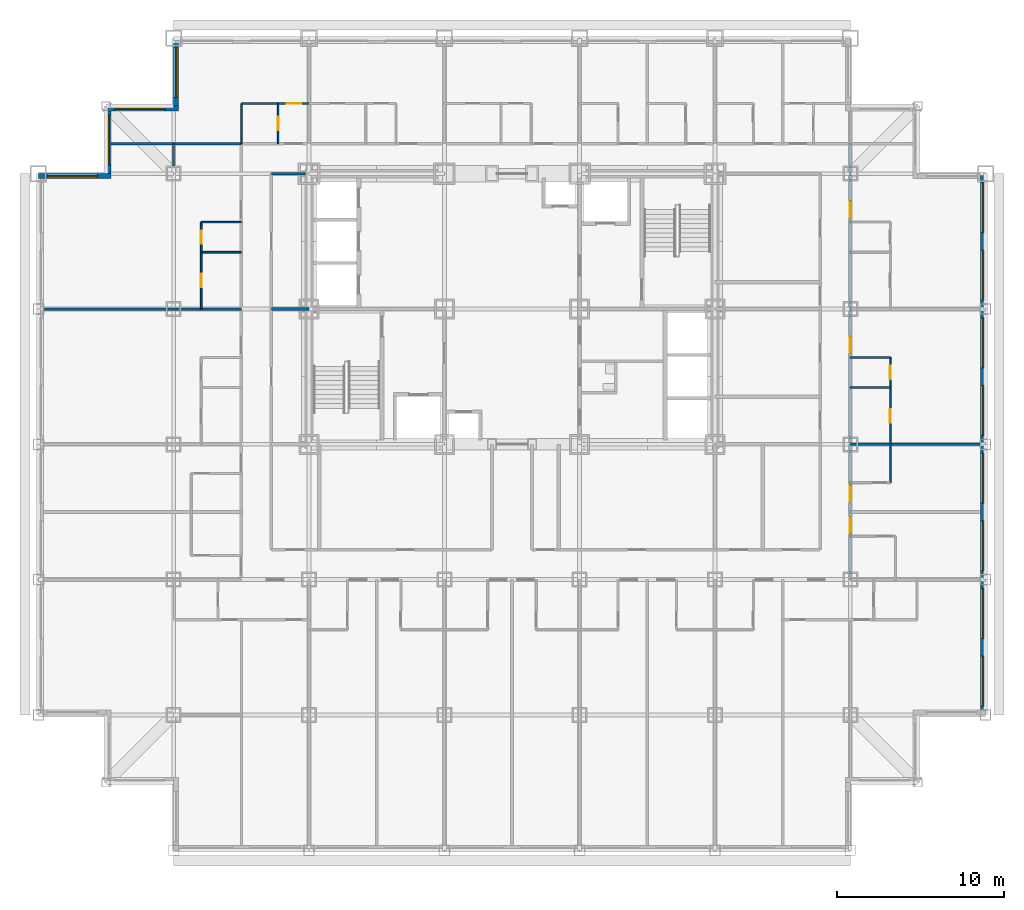
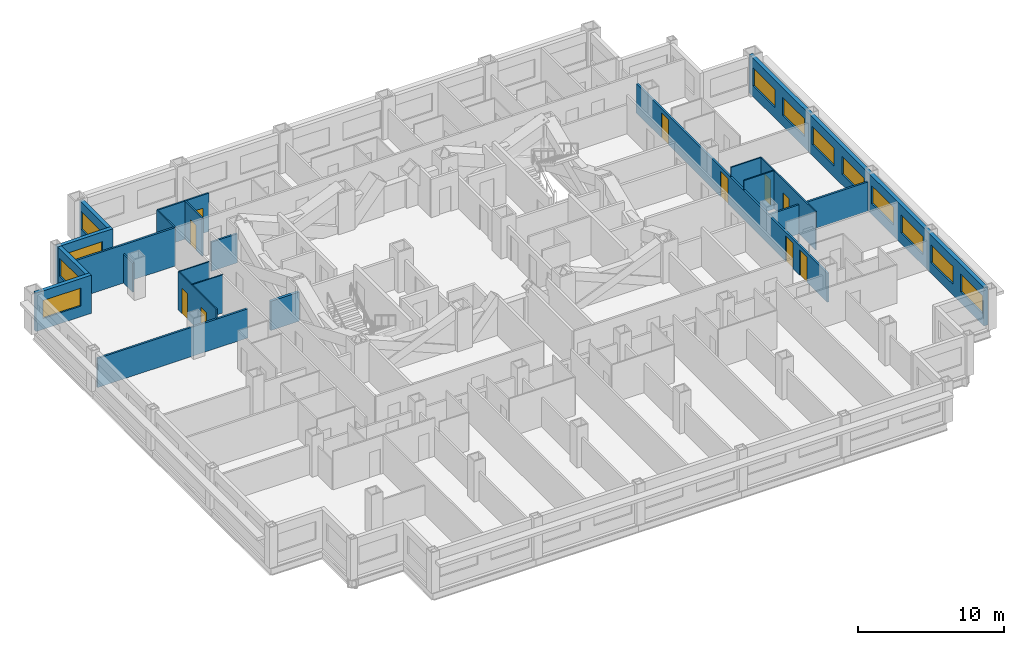
# One storey, part 7 of 12: 21 walls, 12 windows, 10 doors, 22 openings.
"""IFC4 building model written with IfcOpenShell, lengths in metres."""

from ifc_helpers import new_model, si_unit, direction, frame, frame_2d, origin, place, context, subcontext, project, spatial, rectangle, extrude, material, layer, layer_set, type_object, element, fill, save


model = new_model("IFC4")

# Units and contexts
model_context = context("Model", 3, precision=1e-05, world=origin(), true_north=direction((0.0, 1.0)))
body_context = subcontext(model_context, "Body", "Model", "MODEL_VIEW")
ifc_project = project(units=[si_unit("LENGTHUNIT", "METRE"), si_unit("AREAUNIT", "SQUARE_METRE"), si_unit("VOLUMEUNIT", "CUBIC_METRE"), si_unit("PLANEANGLEUNIT", "RADIAN"), si_unit("MASSUNIT", "GRAM", prefix="KILO")], contexts=[model_context])

# Site, building, storey
site_placement = place(None, origin())
site = spatial("IfcSite", under=ifc_project, at=site_placement, CompositionType="ELEMENT")
building_placement = place(site_placement, origin())
building = spatial("IfcBuilding", under=site, at=building_placement, Name="Kopane Lantern Tower", CompositionType="ELEMENT")
storey_placement = place(building_placement, frame((0.0, 0.0, 77.199951171875)))
storey = spatial("IfcBuildingStorey", under=building, at=storey_placement, Name="L19", CompositionType="ELEMENT", Elevation=77.199951171875)

# Wall, opening, door
ifc_material_1 = material(Name="Gypsum board on steel studs", Category="steel")
ifc_layer_1 = layer(ifc_material_1, 0.1201171875)
ifc_layer_set_1 = layer_set([ifc_layer_1], Name="APARTMENT INTERNAL WALL 120")
wall_type_1 = type_object("IfcWallType", Name="APARTMENT INTERNAL WALL 120", PredefinedType="PARTITIONING", material=ifc_layer_set_1)
wall_1_placement = place(storey_placement, frame((12.14990234375, 44.699951171875, 0.0), z_axis=(0.0, 0.0, 1.0), x_axis=(1.0, 0.0, 0.0)))
wall_1 = element("IfcWall", 1, at=wall_1_placement, inside=storey, type_object=wall_type_1, Name="Apartment Internal Wall 120 L19", PredefinedType="PARTITIONING", context=body_context, shape_type="SweptSolid", body=[
    extrude(rectangle(XDim=4.050048828125, YDim=0.1201171875, at=frame_2d((2.02490234375, 0.0))), origin(), (0.0, 0.0, 1.0), 3.18994140625),
])
opening_1_placement = place(wall_1_placement, frame((2.72509765625, 0.0, 0.0)))
opening_1 = element("IfcOpeningElement", 2, at=opening_1_placement, cuts=wall_1, Name="Opening L19-072", PredefinedType="OPENING", context=body_context, shape_type="SweptSolid", body=[
    extrude(rectangle(XDim=0.85009765625, YDim=2.10009765625, at=frame_2d((0.425048828125, 1.050048828125))), frame((0.0, 0.070068359375, 0.0), z_axis=(0.0, -1.0, 0.0), x_axis=(1.0, 0.0, 0.0)), (0.0, 0.0, 1.0), 0.14013671875),
])
ifc_material_2 = material(Name="Timber door set", Category="wood")
door_type_1 = type_object("IfcDoorType", Name="DOOR D4 850x2100", OperationType="SINGLE_SWING_LEFT", PredefinedType="DOOR", material=ifc_material_2)
door_1_placement = place(opening_1_placement, origin())
door_1 = element("IfcDoor", 3, at=door_1_placement, inside=storey, type_object=door_type_1, Name="Door L19-072", OperationType="SINGLE_SWING_LEFT", OverallHeight=2.10009765625, OverallWidth=0.85009765625, PredefinedType="DOOR", context=body_context, shape_type="SweptSolid", body=[
    extrude(rectangle(XDim=0.85009765625, YDim=2.10009765625, at=frame_2d((0.425048828125, 1.050048828125))), frame((0.0, 0.02490234375, 0.0), z_axis=(0.0, -1.0, 0.0), x_axis=(1.0, 0.0, 0.0)), (0.0, 0.0, 1.0), 0.050048828125),
])
fill(opening_1, door_1)

# Wall
wall_2_placement = place(storey_placement, frame((8.10009765625, 42.300048828125, 0.0), z_axis=(0.0, 0.0, 1.0), x_axis=(0.0, -1.0, 0.0)))
element("IfcWall", 4, at=wall_2_placement, inside=storey, type_object=wall_type_1, Name="Apartment Internal Wall 120 L19", PredefinedType="PARTITIONING", context=body_context, shape_type="SweptSolid", body=[
    extrude(rectangle(XDim=1.35009765625, YDim=0.1201171875, at=frame_2d((0.675048828125, 0.0))), origin(), (0.0, 0.0, 1.0), 2.427734375),
])

# Wall, openings, doors
ifc_material_3 = material(Name="Moisture-resistant board on steel studs", Category="steel")
ifc_layer_2 = layer(ifc_material_3, 0.10009765625)
ifc_layer_set_2 = layer_set([ifc_layer_2], Name="BATHROOM WALL 100")
wall_type_2 = type_object("IfcWallType", Name="BATHROOM WALL 100", PredefinedType="PARTITIONING", material=ifc_layer_set_2)
wall_3_placement = place(storey_placement, frame((9.75, 32.39990234375, 0.0), z_axis=(0.0, 0.0, 1.0), x_axis=(0.0, 1.0, 0.0)))
wall_3 = element("IfcWall", 5, at=wall_3_placement, inside=storey, type_object=wall_type_2, Name="Bathroom Wall 100 L19", PredefinedType="PARTITIONING", context=body_context, shape_type="SweptSolid", body=[
    extrude(rectangle(XDim=5.2001953125, YDim=0.10009765625, at=frame_2d((2.60009765625, 0.0))), origin(), (0.0, 0.0, 1.0), 3.18994140625),
])
opening_2_placement = place(wall_3_placement, frame((1.300048828125, 0.0, 0.0)))
opening_2 = element("IfcOpeningElement", 6, at=opening_2_placement, cuts=wall_3, Name="Opening L19-046", PredefinedType="OPENING", context=body_context, shape_type="SweptSolid", body=[
    extrude(rectangle(XDim=0.800048828125, YDim=2.10009765625, at=frame_2d((0.39990234375, 1.050048828125))), frame((0.0, 0.06005859375, 0.0), z_axis=(0.0, -1.0, 0.0), x_axis=(1.0, 0.0, 0.0)), (0.0, 0.0, 1.0), 0.1201171875),
])
opening_3_placement = place(wall_3_placement, frame((3.89990234375, 0.0, 0.0)))
opening_3 = element("IfcOpeningElement", 7, at=opening_3_placement, cuts=wall_3, Name="Opening L19-047", PredefinedType="OPENING", context=body_context, shape_type="SweptSolid", body=[
    extrude(rectangle(XDim=0.800048828125, YDim=2.10009765625, at=frame_2d((0.39990234375, 1.050048828125))), frame((0.0, 0.06005859375, 0.0), z_axis=(0.0, -1.0, 0.0), x_axis=(1.0, 0.0, 0.0)), (0.0, 0.0, 1.0), 0.1201171875),
])
ifc_material_4 = material(Name="Timber door set", Category="wood")
door_type_2 = type_object("IfcDoorType", Name="DOOR D2 800x2100", OperationType="SINGLE_SWING_LEFT", PredefinedType="DOOR", material=ifc_material_4)
door_2_placement = place(opening_2_placement, origin())
door_2 = element("IfcDoor", 8, at=door_2_placement, inside=storey, type_object=door_type_2, Name="Door L19-046", OperationType="SINGLE_SWING_LEFT", OverallHeight=2.10009765625, OverallWidth=0.800048828125, PredefinedType="DOOR", context=body_context, shape_type="SweptSolid", body=[
    extrude(rectangle(XDim=0.800048828125, YDim=2.10009765625, at=frame_2d((0.39990234375, 1.050048828125))), frame((0.0, 0.02490234375, 0.0), z_axis=(0.0, -1.0, 0.0), x_axis=(1.0, 0.0, 0.0)), (0.0, 0.0, 1.0), 0.050048828125),
])
fill(opening_2, door_2)
door_3_placement = place(opening_3_placement, origin())
door_3 = element("IfcDoor", 9, at=door_3_placement, inside=storey, type_object=door_type_2, Name="Door L19-047", OperationType="SINGLE_SWING_LEFT", OverallHeight=2.10009765625, OverallWidth=0.800048828125, PredefinedType="DOOR", context=body_context, shape_type="SweptSolid", body=[
    extrude(rectangle(XDim=0.800048828125, YDim=2.10009765625, at=frame_2d((0.39990234375, 1.050048828125))), frame((0.0, 0.02490234375, 0.0), z_axis=(0.0, -1.0, 0.0), x_axis=(1.0, 0.0, 0.0)), (0.0, 0.0, 1.0), 0.050048828125),
])
fill(opening_3, door_3)

# Walls
for number, where, z_axis, x_axis, name in (
    (10, (12.14990234375, 35.800048828125, 0.0), (0.0, 0.0, 1.0), (-1.0, 0.0, 0.0), "Bathroom Wall 100 L19"),
    (11, (12.14990234375, 37.60009765625, 0.0), (0.0, 0.0, 1.0), (-1.0, 0.0, 0.0), "Bathroom Wall 100 L19"),
):
    element("IfcWall", number, at=place(storey_placement, frame(where, z_axis=z_axis, x_axis=x_axis)), inside=storey, type_object=wall_type_2, Name=name, PredefinedType="PARTITIONING", context=body_context, shape_type="SweptSolid", body=[
        extrude(rectangle(XDim=2.39990234375, YDim=0.10009765625, at=frame_2d((1.199951171875, 0.0))), origin(), (0.0, 0.0, 1.0), 3.18994140625),
    ])

# Wall, openings, doors
wall_4_placement = place(storey_placement, frame((51.0, 22.0, 0.0), z_axis=(0.0, 0.0, 1.0), x_axis=(0.0, 1.0, 0.0)))
wall_4 = element("IfcWall", 12, at=wall_4_placement, inside=storey, type_object=wall_type_2, Name="Bathroom Wall 100 L19", PredefinedType="PARTITIONING", context=body_context, shape_type="SweptSolid", body=[
    extrude(rectangle(XDim=7.5, YDim=0.10009765625, at=frame_2d((3.75, 0.0))), origin(), (0.0, 0.0, 1.0), 3.18994140625),
])
opening_4_placement = place(wall_4_placement, frame((3.60009765625, 0.0, 0.0)))
opening_4 = element("IfcOpeningElement", 13, at=opening_4_placement, cuts=wall_4, Name="Opening L19-053", PredefinedType="OPENING", context=body_context, shape_type="SweptSolid", body=[
    extrude(rectangle(XDim=0.800048828125, YDim=2.10009765625, at=frame_2d((0.39990234375, 1.050048828125))), frame((0.0, 0.06005859375, 0.0), z_axis=(0.0, -1.0, 0.0), x_axis=(1.0, 0.0, 0.0)), (0.0, 0.0, 1.0), 0.1201171875),
])
opening_5_placement = place(wall_4_placement, frame((6.199951171875, 0.0, 0.0)))
opening_5 = element("IfcOpeningElement", 14, at=opening_5_placement, cuts=wall_4, Name="Opening L19-054", PredefinedType="OPENING", context=body_context, shape_type="SweptSolid", body=[
    extrude(rectangle(XDim=0.800048828125, YDim=2.10009765625, at=frame_2d((0.39990234375, 1.050048828125))), frame((0.0, 0.06005859375, 0.0), z_axis=(0.0, -1.0, 0.0), x_axis=(1.0, 0.0, 0.0)), (0.0, 0.0, 1.0), 0.1201171875),
])
door_4_placement = place(opening_4_placement, origin())
door_4 = element("IfcDoor", 15, at=door_4_placement, inside=storey, type_object=door_type_2, Name="Door L19-053", OperationType="SINGLE_SWING_RIGHT", OverallHeight=2.10009765625, OverallWidth=0.800048828125, PredefinedType="DOOR", context=body_context, shape_type="SweptSolid", body=[
    extrude(rectangle(XDim=0.800048828125, YDim=2.10009765625, at=frame_2d((0.39990234375, 1.050048828125))), frame((0.0, 0.02490234375, 0.0), z_axis=(0.0, -1.0, 0.0), x_axis=(1.0, 0.0, 0.0)), (0.0, 0.0, 1.0), 0.050048828125),
])
fill(opening_4, door_4)
door_5_placement = place(opening_5_placement, origin())
door_5 = element("IfcDoor", 16, at=door_5_placement, inside=storey, type_object=door_type_2, Name="Door L19-054", OperationType="SINGLE_SWING_RIGHT", OverallHeight=2.10009765625, OverallWidth=0.800048828125, PredefinedType="DOOR", context=body_context, shape_type="SweptSolid", body=[
    extrude(rectangle(XDim=0.800048828125, YDim=2.10009765625, at=frame_2d((0.39990234375, 1.050048828125))), frame((0.0, 0.02490234375, 0.0), z_axis=(0.0, -1.0, 0.0), x_axis=(1.0, 0.0, 0.0)), (0.0, 0.0, 1.0), 0.050048828125),
])
fill(opening_5, door_5)

# Walls
for number, where, z_axis, x_axis, name in (
    (17, (48.60009765625, 27.699951171875, 0.0), (0.0, 0.0, 1.0), (1.0, 0.0, 0.0), "Bathroom Wall 100 L19"),
    (18, (48.60009765625, 29.5, 0.0), (0.0, 0.0, 1.0), (1.0, 0.0, 0.0), "Bathroom Wall 100 L19"),
):
    element("IfcWall", number, at=place(storey_placement, frame(where, z_axis=z_axis, x_axis=x_axis)), inside=storey, type_object=wall_type_2, Name=name, PredefinedType="PARTITIONING", context=body_context, shape_type="SweptSolid", body=[
        extrude(rectangle(XDim=2.39990234375, YDim=0.10009765625, at=frame_2d((1.199951171875, 0.0))), origin(), (0.0, 0.0, 1.0), 3.18994140625),
    ])

# Wall, opening, door
wall_5_placement = place(storey_placement, frame((14.35009765625, 42.300048828125, 0.0), z_axis=(0.0, 0.0, 1.0), x_axis=(0.0, 1.0, 0.0)))
wall_5 = element("IfcWall", 19, at=wall_5_placement, inside=storey, type_object=wall_type_2, Name="Bathroom Wall 100 L19", PredefinedType="PARTITIONING", context=body_context, shape_type="SweptSolid", body=[
    extrude(rectangle(XDim=2.39990234375, YDim=0.10009765625, at=frame_2d((1.199951171875, 0.0))), origin(), (0.0, 0.0, 1.0), 3.18994140625),
])
opening_6_placement = place(wall_5_placement, frame((0.800048828125, 0.0, 0.0)))
opening_6 = element("IfcOpeningElement", 20, at=opening_6_placement, cuts=wall_5, Name="Opening L19-070", PredefinedType="OPENING", context=body_context, shape_type="SweptSolid", body=[
    extrude(rectangle(XDim=0.800048828125, YDim=2.10009765625, at=frame_2d((0.39990234375, 1.050048828125))), frame((0.0, 0.06005859375, 0.0), z_axis=(0.0, -1.0, 0.0), x_axis=(1.0, 0.0, 0.0)), (0.0, 0.0, 1.0), 0.1201171875),
])
door_6_placement = place(opening_6_placement, origin())
door_6 = element("IfcDoor", 21, at=door_6_placement, inside=storey, type_object=door_type_2, Name="Door L19-070", OperationType="SINGLE_SWING_LEFT", OverallHeight=2.10009765625, OverallWidth=0.800048828125, PredefinedType="DOOR", context=body_context, shape_type="SweptSolid", body=[
    extrude(rectangle(XDim=0.800048828125, YDim=2.10009765625, at=frame_2d((0.39990234375, 1.050048828125))), frame((0.0, 0.02490234375, 0.0), z_axis=(0.0, -1.0, 0.0), x_axis=(1.0, 0.0, 0.0)), (0.0, 0.0, 1.0), 0.050048828125),
])
fill(opening_6, door_6)

# Wall
wall_6_placement = place(storey_placement, frame((12.14990234375, 42.300048828125, 0.0), z_axis=(0.0, 0.0, 1.0), x_axis=(0.0, 1.0, 0.0)))
element("IfcWall", 22, at=wall_6_placement, inside=storey, type_object=wall_type_2, Name="Bathroom Wall 100 L19", PredefinedType="PARTITIONING", context=body_context, shape_type="SweptSolid", body=[
    extrude(rectangle(XDim=2.39990234375, YDim=0.10009765625, at=frame_2d((1.199951171875, 0.0))), origin(), (0.0, 0.0, 1.0), 3.18994140625),
])

# Wall, openings, doors
ifc_material_5 = material(Name="Gypsum board on steel studs", Category="steel")
ifc_layer_3 = layer(ifc_material_5, 0.14990234375)
ifc_layer_set_3 = layer_set([ifc_layer_3], Name="CORRIDOR WALL 150 EI 60")
wall_type_3 = type_object("IfcWallType", Name="CORRIDOR WALL 150 EI 60", PredefinedType="PARTITIONING", material=ifc_layer_set_3)
wall_7_placement = place(storey_placement, frame((48.60009765625, 16.199951171875, 0.0), z_axis=(0.0, 0.0, 1.0), x_axis=(0.0, 1.0, 0.0)))
wall_7 = element("IfcWall", 23, at=wall_7_placement, inside=storey, type_object=wall_type_3, Name="Corridor Wall 150 Ei 60 L19", PredefinedType="PARTITIONING", context=body_context, shape_type="SweptSolid", body=[
    extrude(rectangle(XDim=26.10009765625, YDim=0.14990234375, at=frame_2d((13.050048828125, 0.0))), origin(), (0.0, 0.0, 1.0), 2.427734375),
])
opening_7_placement = place(wall_7_placement, frame((2.75, 0.0, 0.0)))
opening_7 = element("IfcOpeningElement", 24, at=opening_7_placement, cuts=wall_7, Name="Opening L19-050", PredefinedType="OPENING", context=body_context, shape_type="SweptSolid", body=[
    extrude(rectangle(XDim=1.0, YDim=2.10009765625, at=frame_2d((0.5, 1.050048828125))), frame((0.0, 0.0849609375, 0.0), z_axis=(0.0, -1.0, 0.0), x_axis=(1.0, 0.0, 0.0)), (0.0, 0.0, 1.0), 0.169921875),
])
opening_8_placement = place(wall_7_placement, frame((4.64990234375, 0.0, 0.0)))
opening_8 = element("IfcOpeningElement", 25, at=opening_8_placement, cuts=wall_7, Name="Opening L19-052", PredefinedType="OPENING", context=body_context, shape_type="SweptSolid", body=[
    extrude(rectangle(XDim=1.0, YDim=2.10009765625, at=frame_2d((0.5, 1.050048828125))), frame((0.0, 0.0849609375, 0.0), z_axis=(0.0, -1.0, 0.0), x_axis=(1.0, 0.0, 0.0)), (0.0, 0.0, 1.0), 0.169921875),
])
opening_9_placement = place(wall_7_placement, frame((13.550048828125, 0.0, 0.0)))
opening_9 = element("IfcOpeningElement", 26, at=opening_9_placement, cuts=wall_7, Name="Opening L19-055", PredefinedType="OPENING", context=body_context, shape_type="SweptSolid", body=[
    extrude(rectangle(XDim=1.0, YDim=2.10009765625, at=frame_2d((0.5, 1.050048828125))), frame((0.0, 0.0849609375, 0.0), z_axis=(0.0, -1.0, 0.0), x_axis=(1.0, 0.0, 0.0)), (0.0, 0.0, 1.0), 0.169921875),
])
opening_10_placement = place(wall_7_placement, frame((21.64990234375, 0.0, 0.0)))
opening_10 = element("IfcOpeningElement", 27, at=opening_10_placement, cuts=wall_7, Name="Opening L19-058", PredefinedType="OPENING", context=body_context, shape_type="SweptSolid", body=[
    extrude(rectangle(XDim=1.0, YDim=2.10009765625, at=frame_2d((0.5, 1.050048828125))), frame((0.0, 0.0849609375, 0.0), z_axis=(0.0, -1.0, 0.0), x_axis=(1.0, 0.0, 0.0)), (0.0, 0.0, 1.0), 0.169921875),
])
ifc_material_6 = material(Name="Steel door set", Category="steel")
door_type_3 = type_object("IfcDoorType", Name="DOOR D1 1000x2100 FD30S", OperationType="SINGLE_SWING_LEFT", PredefinedType="DOOR", material=ifc_material_6)
door_7_placement = place(opening_7_placement, origin())
door_7 = element("IfcDoor", 28, at=door_7_placement, inside=storey, type_object=door_type_3, Name="Door L19-050", OperationType="SINGLE_SWING_RIGHT", OverallHeight=2.10009765625, OverallWidth=1.0, PredefinedType="DOOR", context=body_context, shape_type="SweptSolid", body=[
    extrude(rectangle(XDim=1.0, YDim=2.10009765625, at=frame_2d((0.5, 1.050048828125))), frame((0.0, 0.02490234375, 0.0), z_axis=(0.0, -1.0, 0.0), x_axis=(1.0, 0.0, 0.0)), (0.0, 0.0, 1.0), 0.050048828125),
])
fill(opening_7, door_7)
door_8_placement = place(opening_8_placement, origin())
door_8 = element("IfcDoor", 29, at=door_8_placement, inside=storey, type_object=door_type_3, Name="Door L19-052", OperationType="SINGLE_SWING_LEFT", OverallHeight=2.10009765625, OverallWidth=1.0, PredefinedType="DOOR", context=body_context, shape_type="SweptSolid", body=[
    extrude(rectangle(XDim=1.0, YDim=2.10009765625, at=frame_2d((0.5, 1.050048828125))), frame((0.0, 0.02490234375, 0.0), z_axis=(0.0, -1.0, 0.0), x_axis=(1.0, 0.0, 0.0)), (0.0, 0.0, 1.0), 0.050048828125),
])
fill(opening_8, door_8)
door_9_placement = place(opening_9_placement, origin())
door_9 = element("IfcDoor", 30, at=door_9_placement, inside=storey, type_object=door_type_3, Name="Door L19-055", OperationType="SINGLE_SWING_RIGHT", OverallHeight=2.10009765625, OverallWidth=1.0, PredefinedType="DOOR", context=body_context, shape_type="SweptSolid", body=[
    extrude(rectangle(XDim=1.0, YDim=2.10009765625, at=frame_2d((0.5, 1.050048828125))), frame((0.0, 0.02490234375, 0.0), z_axis=(0.0, -1.0, 0.0), x_axis=(1.0, 0.0, 0.0)), (0.0, 0.0, 1.0), 0.050048828125),
])
fill(opening_9, door_9)
door_10_placement = place(opening_10_placement, origin())
door_10 = element("IfcDoor", 31, at=door_10_placement, inside=storey, type_object=door_type_3, Name="Door L19-058", OperationType="SINGLE_SWING_RIGHT", OverallHeight=2.10009765625, OverallWidth=1.0, PredefinedType="DOOR", context=body_context, shape_type="SweptSolid", body=[
    extrude(rectangle(XDim=1.0, YDim=2.10009765625, at=frame_2d((0.5, 1.050048828125))), frame((0.0, 0.02490234375, 0.0), z_axis=(0.0, -1.0, 0.0), x_axis=(1.0, 0.0, 0.0)), (0.0, 0.0, 1.0), 0.050048828125),
])
fill(opening_10, door_10)

# Walls
wall_8_placement = place(storey_placement, frame((16.0, 40.5, 0.0), z_axis=(0.0, 0.0, 1.0), x_axis=(-1.0, 0.0, 0.0)))
element("IfcWall", 32, at=wall_8_placement, inside=storey, type_object=wall_type_3, Name="Corridor Wall 150 Ei 60 L19", PredefinedType="PARTITIONING", context=body_context, shape_type="SweptSolid", body=[
    extrude(rectangle(XDim=2.050048828125, YDim=0.14990234375, at=frame_2d((1.02490234375, 0.0))), origin(), (0.0, 0.0, 1.0), 2.427734375),
])
ifc_material_7 = material(Name="Gypsum board on steel studs", Category="steel")
ifc_layer_4 = layer(ifc_material_7, 0.14990234375)
ifc_layer_set_4 = layer_set([ifc_layer_4], Name="DEMISING WALL 150 EI 60")
wall_type_4 = type_object("IfcWallType", Name="DEMISING WALL 150 EI 60", PredefinedType="PARTITIONING", material=ifc_layer_set_4)
wall_9_placement = place(storey_placement, frame((12.14990234375, 32.39990234375, 0.0), z_axis=(0.0, 0.0, 1.0), x_axis=(-1.0, 0.0, 0.0)))
element("IfcWall", 33, at=wall_9_placement, inside=storey, type_object=wall_type_4, Name="Demising Wall 150 Ei 60 L19", PredefinedType="PARTITIONING", context=body_context, shape_type="SweptSolid", body=[
    extrude(rectangle(XDim=11.849853515625, YDim=0.14990234375, at=frame_2d((5.9248046875, 0.0))), origin(), (0.0, 0.0, 1.0), 2.427734375),
])
wall_10_placement = place(storey_placement, frame((48.60009765625, 24.300048828125, 0.0), z_axis=(0.0, 0.0, 1.0), x_axis=(1.0, 0.0, 0.0)))
element("IfcWall", 34, at=wall_10_placement, inside=storey, type_object=wall_type_4, Name="Demising Wall 150 Ei 60 L19", PredefinedType="PARTITIONING", context=body_context, shape_type="SweptSolid", body=[
    extrude(rectangle(XDim=7.7998046875, YDim=0.14990234375, at=frame_2d((3.89990234375, 0.0))), origin(), (0.0, 0.0, 1.0), 2.427734375),
])
wall_11_placement = place(storey_placement, frame((4.35009765625, 42.300048828125, 0.0), z_axis=(0.0, 0.0, 1.0), x_axis=(1.0, 0.0, 0.0)))
element("IfcWall", 35, at=wall_11_placement, inside=storey, type_object=wall_type_4, Name="Demising Wall 150 Ei 60 L19", PredefinedType="PARTITIONING", context=body_context, shape_type="SweptSolid", body=[
    extrude(rectangle(XDim=7.7998046875, YDim=0.14990234375, at=frame_2d((3.89990234375, 0.0))), origin(), (0.0, 0.0, 1.0), 3.18994140625),
])

# Wall, openings, windows
ifc_material_8 = material(Name="Terracotta rainscreen on light steel framing", Category="masonry")
ifc_layer_5 = layer(ifc_material_8, 0.300048828125)
ifc_layer_set_5 = layer_set([ifc_layer_5], Name="EXTERNAL WALL EW1 300 TERRACOTTA")
wall_type_5 = type_object("IfcWallType", Name="EXTERNAL WALL EW1 300 TERRACOTTA", PredefinedType="SOLIDWALL", material=ifc_layer_set_5)
wall_12_placement = place(storey_placement, frame((56.550048828125, 8.39990234375, 0.0), z_axis=(0.0, 0.0, 1.0), x_axis=(0.0, 1.0, 0.0)))
wall_12 = element("IfcWall", 36, at=wall_12_placement, inside=storey, type_object=wall_type_5, Name="External wall E L19", PredefinedType="SOLIDWALL", context=body_context, shape_type="SweptSolid", body=[
    extrude(rectangle(XDim=32.10009765625, YDim=0.300048828125, at=frame_2d((16.050048828125, 0.0))), origin(), (0.0, 0.0, 1.0), 3.18994140625),
])
opening_11_placement = place(wall_12_placement, frame((0.22509765625, 0.0, 0.89990234375)))
opening_11 = element("IfcOpeningElement", 37, at=opening_11_placement, cuts=wall_12, Name="Opening WR300150", PredefinedType="OPENING", context=body_context, shape_type="SweptSolid", body=[
    extrude(rectangle(XDim=3.0, YDim=1.5, at=frame_2d((1.5, 0.75))), frame((0.0, 0.159912109375, 0.0), z_axis=(0.0, -1.0, 0.0), x_axis=(1.0, 0.0, 0.0)), (0.0, 0.0, 1.0), 0.320068359375),
])
opening_12_placement = place(wall_12_placement, frame((4.27490234375, 0.0, 0.89990234375)))
opening_12 = element("IfcOpeningElement", 38, at=opening_12_placement, cuts=wall_12, Name="Opening WR300150", PredefinedType="OPENING", context=body_context, shape_type="SweptSolid", body=[
    extrude(rectangle(XDim=3.0, YDim=1.5, at=frame_2d((1.5, 0.75))), frame((0.0, 0.159912109375, 0.0), z_axis=(0.0, -1.0, 0.0), x_axis=(1.0, 0.0, 0.0)), (0.0, 0.0, 1.0), 0.320068359375),
])
opening_13_placement = place(wall_12_placement, frame((8.324951171875, 0.0, 0.89990234375)))
opening_13 = element("IfcOpeningElement", 39, at=opening_13_placement, cuts=wall_12, Name="Opening WR300150", PredefinedType="OPENING", context=body_context, shape_type="SweptSolid", body=[
    extrude(rectangle(XDim=3.0, YDim=1.5, at=frame_2d((1.5, 0.75))), frame((0.0, 0.159912109375, 0.0), z_axis=(0.0, -1.0, 0.0), x_axis=(1.0, 0.0, 0.0)), (0.0, 0.0, 1.0), 0.320068359375),
])
opening_14_placement = place(wall_12_placement, frame((12.375, 0.0, 0.89990234375)))
opening_14 = element("IfcOpeningElement", 40, at=opening_14_placement, cuts=wall_12, Name="Opening WR300150", PredefinedType="OPENING", context=body_context, shape_type="SweptSolid", body=[
    extrude(rectangle(XDim=3.0, YDim=1.5, at=frame_2d((1.5, 0.75))), frame((0.0, 0.159912109375, 0.0), z_axis=(0.0, -1.0, 0.0), x_axis=(1.0, 0.0, 0.0)), (0.0, 0.0, 1.0), 0.320068359375),
])
opening_15_placement = place(wall_12_placement, frame((16.425048828125, 0.0, 0.89990234375)))
opening_15 = element("IfcOpeningElement", 41, at=opening_15_placement, cuts=wall_12, Name="Opening WR300150", PredefinedType="OPENING", context=body_context, shape_type="SweptSolid", body=[
    extrude(rectangle(XDim=3.0, YDim=1.5, at=frame_2d((1.5, 0.75))), frame((0.0, 0.159912109375, 0.0), z_axis=(0.0, -1.0, 0.0), x_axis=(1.0, 0.0, 0.0)), (0.0, 0.0, 1.0), 0.320068359375),
])
opening_16_placement = place(wall_12_placement, frame((20.47509765625, 0.0, 0.89990234375)))
opening_16 = element("IfcOpeningElement", 42, at=opening_16_placement, cuts=wall_12, Name="Opening WR300150", PredefinedType="OPENING", context=body_context, shape_type="SweptSolid", body=[
    extrude(rectangle(XDim=3.0, YDim=1.5, at=frame_2d((1.5, 0.75))), frame((0.0, 0.159912109375, 0.0), z_axis=(0.0, -1.0, 0.0), x_axis=(1.0, 0.0, 0.0)), (0.0, 0.0, 1.0), 0.320068359375),
])
opening_17_placement = place(wall_12_placement, frame((24.52490234375, 0.0, 0.89990234375)))
opening_17 = element("IfcOpeningElement", 43, at=opening_17_placement, cuts=wall_12, Name="Opening WR300150", PredefinedType="OPENING", context=body_context, shape_type="SweptSolid", body=[
    extrude(rectangle(XDim=3.0, YDim=1.5, at=frame_2d((1.5, 0.75))), frame((0.0, 0.159912109375, 0.0), z_axis=(0.0, -1.0, 0.0), x_axis=(1.0, 0.0, 0.0)), (0.0, 0.0, 1.0), 0.320068359375),
])
opening_18_placement = place(wall_12_placement, frame((28.574951171875, 0.0, 0.89990234375)))
opening_18 = element("IfcOpeningElement", 44, at=opening_18_placement, cuts=wall_12, Name="Opening WR300150", PredefinedType="OPENING", context=body_context, shape_type="SweptSolid", body=[
    extrude(rectangle(XDim=3.0, YDim=1.5, at=frame_2d((1.5, 0.75))), frame((0.0, 0.159912109375, 0.0), z_axis=(0.0, -1.0, 0.0), x_axis=(1.0, 0.0, 0.0)), (0.0, 0.0, 1.0), 0.320068359375),
])
ifc_material_9 = material(Name="Aluminium and clear glass", Category="aluminium")
window_type = type_object("IfcWindowType", Name="RIBBON WINDOW WR300150 3000x1500", PartitioningType="SINGLE_PANEL", PredefinedType="WINDOW", material=ifc_material_9)
window_1_placement = place(opening_11_placement, origin())
window_1 = element("IfcWindow", 45, at=window_1_placement, inside=storey, type_object=window_type, Name="Window E L19", OverallHeight=1.5, OverallWidth=3.0, PartitioningType="SINGLE_PANEL", PredefinedType="WINDOW", context=body_context, shape_type="SweptSolid", body=[
    extrude(rectangle(XDim=3.0, YDim=1.5, at=frame_2d((1.5, 0.75))), frame((0.0, 0.030029296875, 0.0), z_axis=(0.0, -1.0, 0.0), x_axis=(1.0, 0.0, 0.0)), (0.0, 0.0, 1.0), 0.06005859375),
])
fill(opening_11, window_1)
window_2_placement = place(opening_12_placement, origin())
window_2 = element("IfcWindow", 46, at=window_2_placement, inside=storey, type_object=window_type, Name="Window E L19", OverallHeight=1.5, OverallWidth=3.0, PartitioningType="SINGLE_PANEL", PredefinedType="WINDOW", context=body_context, shape_type="SweptSolid", body=[
    extrude(rectangle(XDim=3.0, YDim=1.5, at=frame_2d((1.5, 0.75))), frame((0.0, 0.030029296875, 0.0), z_axis=(0.0, -1.0, 0.0), x_axis=(1.0, 0.0, 0.0)), (0.0, 0.0, 1.0), 0.06005859375),
])
fill(opening_12, window_2)
window_3_placement = place(opening_13_placement, origin())
window_3 = element("IfcWindow", 47, at=window_3_placement, inside=storey, type_object=window_type, Name="Window E L19", OverallHeight=1.5, OverallWidth=3.0, PartitioningType="SINGLE_PANEL", PredefinedType="WINDOW", context=body_context, shape_type="SweptSolid", body=[
    extrude(rectangle(XDim=3.0, YDim=1.5, at=frame_2d((1.5, 0.75))), frame((0.0, 0.030029296875, 0.0), z_axis=(0.0, -1.0, 0.0), x_axis=(1.0, 0.0, 0.0)), (0.0, 0.0, 1.0), 0.06005859375),
])
fill(opening_13, window_3)
window_4_placement = place(opening_14_placement, origin())
window_4 = element("IfcWindow", 48, at=window_4_placement, inside=storey, type_object=window_type, Name="Window E L19", OverallHeight=1.5, OverallWidth=3.0, PartitioningType="SINGLE_PANEL", PredefinedType="WINDOW", context=body_context, shape_type="SweptSolid", body=[
    extrude(rectangle(XDim=3.0, YDim=1.5, at=frame_2d((1.5, 0.75))), frame((0.0, 0.030029296875, 0.0), z_axis=(0.0, -1.0, 0.0), x_axis=(1.0, 0.0, 0.0)), (0.0, 0.0, 1.0), 0.06005859375),
])
fill(opening_14, window_4)
window_5_placement = place(opening_15_placement, origin())
window_5 = element("IfcWindow", 49, at=window_5_placement, inside=storey, type_object=window_type, Name="Window E L19", OverallHeight=1.5, OverallWidth=3.0, PartitioningType="SINGLE_PANEL", PredefinedType="WINDOW", context=body_context, shape_type="SweptSolid", body=[
    extrude(rectangle(XDim=3.0, YDim=1.5, at=frame_2d((1.5, 0.75))), frame((0.0, 0.030029296875, 0.0), z_axis=(0.0, -1.0, 0.0), x_axis=(1.0, 0.0, 0.0)), (0.0, 0.0, 1.0), 0.06005859375),
])
fill(opening_15, window_5)
window_6_placement = place(opening_16_placement, origin())
window_6 = element("IfcWindow", 50, at=window_6_placement, inside=storey, type_object=window_type, Name="Window E L19", OverallHeight=1.5, OverallWidth=3.0, PartitioningType="SINGLE_PANEL", PredefinedType="WINDOW", context=body_context, shape_type="SweptSolid", body=[
    extrude(rectangle(XDim=3.0, YDim=1.5, at=frame_2d((1.5, 0.75))), frame((0.0, 0.030029296875, 0.0), z_axis=(0.0, -1.0, 0.0), x_axis=(1.0, 0.0, 0.0)), (0.0, 0.0, 1.0), 0.06005859375),
])
fill(opening_16, window_6)
window_7_placement = place(opening_17_placement, origin())
window_7 = element("IfcWindow", 51, at=window_7_placement, inside=storey, type_object=window_type, Name="Window E L19", OverallHeight=1.5, OverallWidth=3.0, PartitioningType="SINGLE_PANEL", PredefinedType="WINDOW", context=body_context, shape_type="SweptSolid", body=[
    extrude(rectangle(XDim=3.0, YDim=1.5, at=frame_2d((1.5, 0.75))), frame((0.0, 0.030029296875, 0.0), z_axis=(0.0, -1.0, 0.0), x_axis=(1.0, 0.0, 0.0)), (0.0, 0.0, 1.0), 0.06005859375),
])
fill(opening_17, window_7)
window_8_placement = place(opening_18_placement, origin())
window_8 = element("IfcWindow", 52, at=window_8_placement, inside=storey, type_object=window_type, Name="Window E L19", OverallHeight=1.5, OverallWidth=3.0, PartitioningType="SINGLE_PANEL", PredefinedType="WINDOW", context=body_context, shape_type="SweptSolid", body=[
    extrude(rectangle(XDim=3.0, YDim=1.5, at=frame_2d((1.5, 0.75))), frame((0.0, 0.030029296875, 0.0), z_axis=(0.0, -1.0, 0.0), x_axis=(1.0, 0.0, 0.0)), (0.0, 0.0, 1.0), 0.06005859375),
])
fill(opening_18, window_8)

# Wall, opening, window
wall_13_placement = place(storey_placement, frame((8.25, 48.300048828125, 0.0), z_axis=(0.0, 0.0, 1.0), x_axis=(0.0, -1.0, 0.0)))
wall_13 = element("IfcWall", 53, at=wall_13_placement, inside=storey, type_object=wall_type_5, Name="External wall W L19", PredefinedType="SOLIDWALL", context=body_context, shape_type="SweptSolid", body=[
    extrude(rectangle(XDim=3.75, YDim=0.300048828125, at=frame_2d((1.875, 0.0))), origin(), (0.0, 0.0, 1.0), 3.18994140625),
])
opening_19_placement = place(wall_13_placement, frame((0.22509765625, 0.0, 0.89990234375)))
opening_19 = element("IfcOpeningElement", 54, at=opening_19_placement, cuts=wall_13, Name="Opening WR300150", PredefinedType="OPENING", context=body_context, shape_type="SweptSolid", body=[
    extrude(rectangle(XDim=3.0, YDim=1.5, at=frame_2d((1.5, 0.75))), frame((0.0, 0.159912109375, 0.0), z_axis=(0.0, -1.0, 0.0), x_axis=(1.0, 0.0, 0.0)), (0.0, 0.0, 1.0), 0.320068359375),
])
window_9_placement = place(opening_19_placement, origin())
window_9 = element("IfcWindow", 55, at=window_9_placement, inside=storey, type_object=window_type, Name="Window W L19", OverallHeight=1.5, OverallWidth=3.0, PartitioningType="SINGLE_PANEL", PredefinedType="WINDOW", context=body_context, shape_type="SweptSolid", body=[
    extrude(rectangle(XDim=3.0, YDim=1.5, at=frame_2d((1.5, 0.75))), frame((0.0, 0.030029296875, 0.0), z_axis=(0.0, -1.0, 0.0), x_axis=(1.0, 0.0, 0.0)), (0.0, 0.0, 1.0), 0.06005859375),
])
fill(opening_19, window_9)

wall_14_placement = place(storey_placement, frame((8.39990234375, 44.39990234375, 0.0), z_axis=(0.0, 0.0, 1.0), x_axis=(-1.0, 0.0, 0.0)))
wall_14 = element("IfcWall", 56, at=wall_14_placement, inside=storey, type_object=wall_type_5, Name="External wall N L19", PredefinedType="SOLIDWALL", context=body_context, shape_type="SweptSolid", body=[
    extrude(rectangle(XDim=4.349853515625, YDim=0.300048828125, at=frame_2d((2.1748046875, 0.0))), origin(), (0.0, 0.0, 1.0), 3.18994140625),
])
opening_20_placement = place(wall_14_placement, frame((0.824951171875, 0.0, 0.89990234375)))
opening_20 = element("IfcOpeningElement", 57, at=opening_20_placement, cuts=wall_14, Name="Opening WR300150", PredefinedType="OPENING", context=body_context, shape_type="SweptSolid", body=[
    extrude(rectangle(XDim=3.0, YDim=1.5, at=frame_2d((1.5, 0.75))), frame((0.0, 0.159912109375, 0.0), z_axis=(0.0, -1.0, 0.0), x_axis=(1.0, 0.0, 0.0)), (0.0, 0.0, 1.0), 0.320068359375),
])
window_10_placement = place(opening_20_placement, origin())
window_10 = element("IfcWindow", 58, at=window_10_placement, inside=storey, type_object=window_type, Name="Window N L19", OverallHeight=1.5, OverallWidth=3.0, PartitioningType="SINGLE_PANEL", PredefinedType="WINDOW", context=body_context, shape_type="SweptSolid", body=[
    extrude(rectangle(XDim=3.0, YDim=1.5, at=frame_2d((1.5, 0.75))), frame((0.0, 0.030029296875, 0.0), z_axis=(0.0, -1.0, 0.0), x_axis=(1.0, 0.0, 0.0)), (0.0, 0.0, 1.0), 0.06005859375),
])
fill(opening_20, window_10)

wall_15_placement = place(storey_placement, frame((4.199951171875, 44.25, 0.0), z_axis=(0.0, 0.0, 1.0), x_axis=(0.0, -1.0, 0.0)))
wall_15 = element("IfcWall", 59, at=wall_15_placement, inside=storey, type_object=wall_type_5, Name="External wall W L19", PredefinedType="SOLIDWALL", context=body_context, shape_type="SweptSolid", body=[
    extrude(rectangle(XDim=3.75, YDim=0.300048828125, at=frame_2d((1.875, 0.0))), origin(), (0.0, 0.0, 1.0), 3.18994140625),
])
opening_21_placement = place(wall_15_placement, frame((0.22509765625, 0.0, 0.89990234375)))
opening_21 = element("IfcOpeningElement", 60, at=opening_21_placement, cuts=wall_15, Name="Opening WR300150", PredefinedType="OPENING", context=body_context, shape_type="SweptSolid", body=[
    extrude(rectangle(XDim=3.0, YDim=1.5, at=frame_2d((1.5, 0.75))), frame((0.0, 0.159912109375, 0.0), z_axis=(0.0, -1.0, 0.0), x_axis=(1.0, 0.0, 0.0)), (0.0, 0.0, 1.0), 0.320068359375),
])
window_11_placement = place(opening_21_placement, origin())
window_11 = element("IfcWindow", 61, at=window_11_placement, inside=storey, type_object=window_type, Name="Window W L19", OverallHeight=1.5, OverallWidth=3.0, PartitioningType="SINGLE_PANEL", PredefinedType="WINDOW", context=body_context, shape_type="SweptSolid", body=[
    extrude(rectangle(XDim=3.0, YDim=1.5, at=frame_2d((1.5, 0.75))), frame((0.0, 0.030029296875, 0.0), z_axis=(0.0, -1.0, 0.0), x_axis=(1.0, 0.0, 0.0)), (0.0, 0.0, 1.0), 0.06005859375),
])
fill(opening_21, window_11)

wall_16_placement = place(storey_placement, frame((4.35009765625, 40.35009765625, 0.0), z_axis=(0.0, 0.0, 1.0), x_axis=(-1.0, 0.0, 0.0)))
wall_16 = element("IfcWall", 62, at=wall_16_placement, inside=storey, type_object=wall_type_5, Name="External wall N L19", PredefinedType="SOLIDWALL", context=body_context, shape_type="SweptSolid", body=[
    extrude(rectangle(XDim=4.35009765625, YDim=0.300048828125, at=frame_2d((2.175048828125, 0.0))), origin(), (0.0, 0.0, 1.0), 3.18994140625),
])
opening_22_placement = place(wall_16_placement, frame((0.824951171875, 0.0, 0.89990234375)))
opening_22 = element("IfcOpeningElement", 63, at=opening_22_placement, cuts=wall_16, Name="Opening WR300150", PredefinedType="OPENING", context=body_context, shape_type="SweptSolid", body=[
    extrude(rectangle(XDim=3.0, YDim=1.5, at=frame_2d((1.5, 0.75))), frame((0.0, 0.159912109375, 0.0), z_axis=(0.0, -1.0, 0.0), x_axis=(1.0, 0.0, 0.0)), (0.0, 0.0, 1.0), 0.320068359375),
])
window_12_placement = place(opening_22_placement, origin())
window_12 = element("IfcWindow", 64, at=window_12_placement, inside=storey, type_object=window_type, Name="Window N L19", OverallHeight=1.5, OverallWidth=3.0, PartitioningType="SINGLE_PANEL", PredefinedType="WINDOW", context=body_context, shape_type="SweptSolid", body=[
    extrude(rectangle(XDim=3.0, YDim=1.5, at=frame_2d((1.5, 0.75))), frame((0.0, 0.030029296875, 0.0), z_axis=(0.0, -1.0, 0.0), x_axis=(1.0, 0.0, 0.0)), (0.0, 0.0, 1.0), 0.06005859375),
])
fill(opening_22, window_12)

# Wall
ifc_material_10 = material(Name="Concrete masonry", Category="masonry")
ifc_layer_6 = layer(ifc_material_10, 0.199951171875)
ifc_layer_set_6 = layer_set([ifc_layer_6], Name="PLANT ROOM WALL 200 EI 120")
wall_type_6 = type_object("IfcWallType", Name="PLANT ROOM WALL 200 EI 120", PredefinedType="SOLIDWALL", material=ifc_layer_set_6)
wall_17_placement = place(storey_placement, frame((13.949951171875, 32.39990234375, 0.0), z_axis=(0.0, 0.0, 1.0), x_axis=(1.0, 0.0, 0.0)))
element("IfcWall", 65, at=wall_17_placement, inside=storey, type_object=wall_type_6, Name="Plant Room Wall 200 Ei 120 L19", PredefinedType="SOLIDWALL", context=body_context, shape_type="SweptSolid", body=[
    extrude(rectangle(XDim=2.25, YDim=0.199951171875, at=frame_2d((1.125, 0.0))), origin(), (0.0, 0.0, 1.0), 2.427734375),
])

save(model, "model.ifc")
